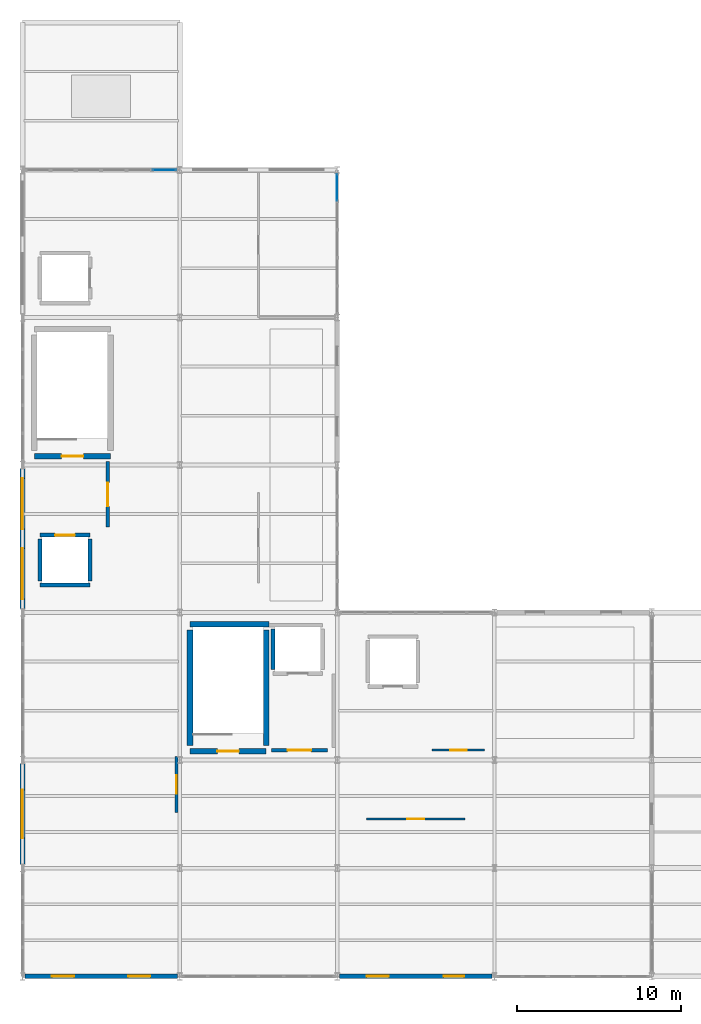
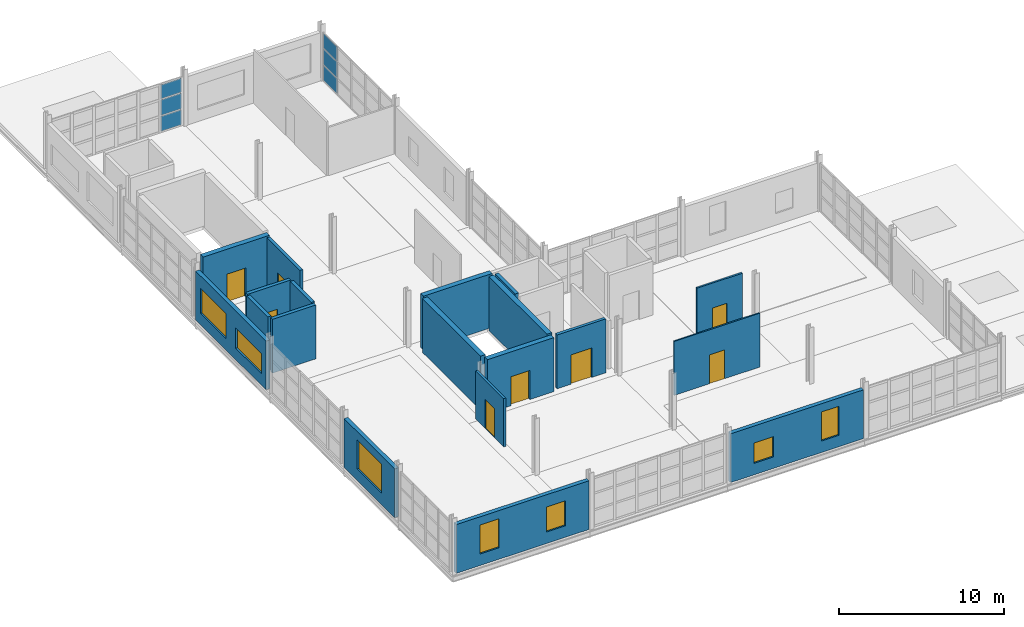
# One storey, part 13 of 15: 19 walls, 8 doors, 7 windows, 6 plates, 15 openings, 2 elements without a shape of their own.
"""IFC4 building model written with IfcOpenShell, lengths in metres."""

from ifc_helpers import new_model, si_unit, direction, frame, frame_2d, origin, origin_2d, place, context, subcontext, project, spatial, rectangle, extrude, material, layer, layer_set, type_object, element, fill, aggregate, save


model = new_model("IFC4")

# Units and contexts
model_context = context("Model", 3, precision=1e-05, world=origin(), true_north=direction((0.0, 1.0)))
body_context = subcontext(model_context, "Body", "Model", "MODEL_VIEW")
ifc_project = project(units=[si_unit("LENGTHUNIT", "METRE"), si_unit("AREAUNIT", "SQUARE_METRE"), si_unit("VOLUMEUNIT", "CUBIC_METRE"), si_unit("PLANEANGLEUNIT", "RADIAN"), si_unit("MASSUNIT", "GRAM", prefix="KILO")], contexts=[model_context])

# Site, building, storey
site_placement = place(None, origin())
site = spatial("IfcSite", under=ifc_project, at=site_placement, CompositionType="ELEMENT")
building_placement = place(site_placement, origin())
building = spatial("IfcBuilding", under=site, at=building_placement, Name="Zarnetskaya Central Station", CompositionType="ELEMENT")
storey_placement = place(building_placement, frame((0.0, 0.0, 22.800048828125)))
storey = spatial("IfcBuildingStorey", under=building, at=storey_placement, Name="L05", CompositionType="ELEMENT", Elevation=22.800048828125)

# Curtain wall, plates
ifc_material_1 = material(Name="Low-E insulated glass", Category="glass")
ifc_layer_1 = layer(ifc_material_1, 0.1640625, Name="Low-E insulated glass", Category="glass")
ifc_layer_set_1 = layer_set([ifc_layer_1], Name="Low-E insulated glass")
curtain_wall_type = type_object("IfcCurtainWallType", Name="CW-SYS-07", PredefinedType="USERDEFINED", material=ifc_layer_set_1)
curtain_wall_1_placement = place(storey_placement, origin())
curtain_wall_1 = element("IfcCurtainWall", 1, at=curtain_wall_1_placement, inside=storey, type_object=curtain_wall_type, Name="Curtain wall CW-L05-066", ObjectType="CURTAIN WALL", PredefinedType="USERDEFINED")
ifc_layer_2 = layer(ifc_material_1, 0.031982421875, Name="Low-E insulated glass", Category="glass")
ifc_layer_set_2 = layer_set([ifc_layer_2], Name="Low-E insulated glass")
plate_type_1 = type_object("IfcPlateType", Name="CW-PAN-32", PredefinedType="CURTAIN_PANEL", material=ifc_layer_set_2)
plate_1_placement = place(storey_placement, frame((8.655029296875, 49.199951171875, 0.079833984375), z_axis=(0.0, 0.0, 1.0), x_axis=(1.0, 0.0, 0.0)))
plate_1 = element("IfcPlate", 2, at=plate_1_placement, type_object=plate_type_1, Name="CW-06 panel 6.1", PredefinedType="CURTAIN_PANEL", context=body_context, shape_type="SweptSolid", body=[
    extrude(rectangle(XDim=1.429931640625, YDim=0.031982421875, at=origin_2d()), origin(), (0.0, 0.0, 1.0), 1.10400390625),
])
plate_2_placement = place(storey_placement, frame((8.655029296875, 49.199951171875, 1.263916015625), z_axis=(0.0, 0.0, 1.0), x_axis=(1.0, 0.0, 0.0)))
plate_2 = element("IfcPlate", 3, at=plate_2_placement, type_object=plate_type_1, Name="CW-06 panel 6.2", PredefinedType="CURTAIN_PANEL", context=body_context, shape_type="SweptSolid", body=[
    extrude(rectangle(XDim=1.429931640625, YDim=0.031982421875, at=origin_2d()), origin(), (0.0, 0.0, 1.0), 1.14404296875),
])
plate_3_placement = place(storey_placement, frame((8.655029296875, 49.199951171875, 2.48779296875), z_axis=(0.0, 0.0, 1.0), x_axis=(1.0, 0.0, 0.0)))
plate_3 = element("IfcPlate", 4, at=plate_3_placement, type_object=plate_type_1, Name="CW-06 panel 6.3", PredefinedType="CURTAIN_PANEL", context=body_context, shape_type="SweptSolid", body=[
    extrude(rectangle(XDim=1.429931640625, YDim=0.031982421875, at=origin_2d()), origin(), (0.0, 0.0, 1.0), 1.031982421875),
])
aggregate(curtain_wall_1, [plate_1, plate_2, plate_3])

curtain_wall_2_placement = place(storey_placement, origin())
curtain_wall_2 = element("IfcCurtainWall", 5, at=curtain_wall_2_placement, inside=storey, type_object=curtain_wall_type, Name="Curtain wall CW-L05-067", ObjectType="CURTAIN WALL", PredefinedType="USERDEFINED")
ifc_layer_3 = layer(ifc_material_1, 0.035888671875, Name="Low-E insulated glass", Category="glass")
ifc_layer_set_3 = layer_set([ifc_layer_3], Name="Low-E insulated glass")
plate_type_2 = type_object("IfcPlateType", Name="CW-PAN-36", PredefinedType="CURTAIN_PANEL", material=ifc_layer_set_3)
plate_4_placement = place(storey_placement, frame((19.199951171875, 48.12255859375, 0.06982421875), z_axis=(0.0, 0.0, 1.0), x_axis=(0.0, -1.0, 0.0)))
plate_4 = element("IfcPlate", 6, at=plate_4_placement, type_object=plate_type_2, Name="CW-06 panel 1.1", PredefinedType="CURTAIN_PANEL", context=body_context, shape_type="SweptSolid", body=[
    extrude(rectangle(XDim=1.614990234375, YDim=0.035888671875, at=origin_2d()), origin(), (0.0, 0.0, 1.0), 1.118896484375),
])
plate_5_placement = place(storey_placement, frame((19.199951171875, 48.12255859375, 1.2587890625), z_axis=(0.0, 0.0, 1.0), x_axis=(0.0, -1.0, 0.0)))
plate_5 = element("IfcPlate", 7, at=plate_5_placement, type_object=plate_type_2, Name="CW-06 panel 1.2", PredefinedType="CURTAIN_PANEL", context=body_context, shape_type="SweptSolid", body=[
    extrude(rectangle(XDim=1.614990234375, YDim=0.035888671875, at=origin_2d()), origin(), (0.0, 0.0, 1.0), 1.154052734375),
])
plate_6_placement = place(storey_placement, frame((19.199951171875, 48.12255859375, 2.48291015625), z_axis=(0.0, 0.0, 1.0), x_axis=(0.0, -1.0, 0.0)))
plate_6 = element("IfcPlate", 8, at=plate_6_placement, type_object=plate_type_2, Name="CW-06 panel 1.3", PredefinedType="CURTAIN_PANEL", context=body_context, shape_type="SweptSolid", body=[
    extrude(rectangle(XDim=1.614990234375, YDim=0.035888671875, at=origin_2d()), origin(), (0.0, 0.0, 1.0), 1.047119140625),
])
aggregate(curtain_wall_2, [plate_4, plate_5, plate_6])

# Wall, opening, door
ifc_material_2 = material(Name="Gypsum acoustic partition")
ifc_layer_4 = layer(ifc_material_2, 0.159912109375, Name="Gypsum acoustic partition")
ifc_layer_set_4 = layer_set([ifc_layer_4], Name="Gypsum acoustic partition")
wall_type_1 = type_object("IfcWallType", Name="PART-ACOU-160", PredefinedType="PARTITIONING", material=ifc_layer_set_4)
wall_1_placement = place(storey_placement, frame((9.39990234375, 13.39990234375, 0.0), z_axis=(0.0, 0.0, 1.0), x_axis=(0.0, -1.0, 0.0)))
wall_1 = element("IfcWall", 9, at=wall_1_placement, inside=storey, type_object=wall_type_1, Name="Interior partition IPRT-L05-0443", PredefinedType="PARTITIONING", context=body_context, shape_type="SweptSolid", body=[
    extrude(rectangle(XDim=3.39990234375, YDim=0.159912109375, at=frame_2d((1.699951171875, 0.0))), origin(), (0.0, 0.0, 1.0), 3.570068359375),
])
opening_1_placement = place(wall_1_placement, frame((1.1298828125, 0.0, 0.0)))
opening_1 = element("IfcOpeningElement", 10, at=opening_1_placement, cuts=wall_1, Name="Opening DR-20", PredefinedType="OPENING", context=body_context, shape_type="SweptSolid", body=[
    extrude(rectangle(XDim=1.139892578125, YDim=2.159912109375, at=frame_2d((0.56982421875, 1.080078125))), frame((0.0, 0.08984375, 0.0), z_axis=(0.0, -1.0, 0.0), x_axis=(1.0, 0.0, 0.0)), (0.0, 0.0, 1.0), 0.179931640625),
])
ifc_material_3 = material(Name="Anodised aluminium", Category="aluminium")
door_type_1 = type_object("IfcDoorType", Name="DR-INT-23", OperationType="NOTDEFINED", PredefinedType="DOOR", material=ifc_material_3)
door_1_placement = place(opening_1_placement, origin())
door_1 = element("IfcDoor", 11, at=door_1_placement, inside=storey, type_object=door_type_1, Name="Emergency Command Briefing Room door", OperationType="SINGLE_SWING_LEFT", OverallHeight=2.159912109375, OverallWidth=1.139892578125, PredefinedType="DOOR", context=body_context, shape_type="SweptSolid", body=[
    extrude(rectangle(XDim=1.139892578125, YDim=2.159912109375, at=frame_2d((0.56982421875, 1.080078125))), frame((0.0, 0.02490234375, 0.0), z_axis=(0.0, -1.0, 0.0), x_axis=(1.0, 0.0, 0.0)), (0.0, 0.0, 1.0), 0.050048828125),
])
fill(opening_1, door_1)

ifc_material_4 = material(Name="Concrete C30/37", Category="concrete")
ifc_layer_5 = layer(ifc_material_4, 0.205078125, Name="Concrete C30/37", Category="concrete")
ifc_layer_set_5 = layer_set([ifc_layer_5], Name="Concrete C30/37")
wall_type_2 = type_object("IfcWallType", Name="PART-FFL-205", PredefinedType="PARTITIONING", material=ifc_layer_set_5)
wall_2_placement = place(storey_placement, frame((18.60009765625, 13.800048828125, 0.0), z_axis=(0.0, 0.0, 1.0), x_axis=(-1.0, 0.0, 0.0)))
wall_2 = element("IfcWall", 12, at=wall_2_placement, inside=storey, type_object=wall_type_2, Name="Interior partition IPRT-L05-0371", PredefinedType="PARTITIONING", context=body_context, shape_type="SweptSolid", body=[
    extrude(rectangle(XDim=3.400146484375, YDim=0.205078125, at=frame_2d((1.7001953125, 0.0))), origin(), (0.0, 0.0, 1.0), 3.989990234375),
])
opening_2_placement = place(wall_2_placement, frame((0.97998046875, 0.0, 0.0)))
opening_2 = element("IfcOpeningElement", 13, at=opening_2_placement, cuts=wall_2, Name="Opening DR-FFL", PredefinedType="OPENING", context=body_context, shape_type="SweptSolid", body=[
    extrude(rectangle(XDim=1.43994140625, YDim=2.179931640625, at=frame_2d((0.719970703125, 1.08984375))), frame((0.0, 0.112548828125, 0.0), z_axis=(0.0, -1.0, 0.0), x_axis=(1.0, 0.0, 0.0)), (0.0, 0.0, 1.0), 0.22509765625),
])
door_type_2 = type_object("IfcDoorType", Name="DR-FIRE-LOBBY", OperationType="NOTDEFINED", PredefinedType="DOOR", material=ifc_material_3)
door_2_placement = place(opening_2_placement, origin())
door_2 = element("IfcDoor", 14, at=door_2_placement, inside=storey, type_object=door_type_2, Name="Firefighting Lift Lobby C1 door", OperationType="SINGLE_SWING_RIGHT", OverallHeight=2.179931640625, OverallWidth=1.43994140625, PredefinedType="DOOR", context=body_context, shape_type="SweptSolid", body=[
    extrude(rectangle(XDim=1.43994140625, YDim=2.179931640625, at=frame_2d((0.719970703125, 1.08984375))), frame((0.0, 0.02490234375, 0.0), z_axis=(0.0, -1.0, 0.0), x_axis=(1.0, 0.0, 0.0)), (0.0, 0.0, 1.0), 0.050048828125),
])
fill(opening_2, door_2)

wall_3_placement = place(storey_placement, frame((5.199951171875, 31.39990234375, 0.0), z_axis=(0.0, 0.0, 1.0), x_axis=(0.0, -1.0, 0.0)))
wall_3 = element("IfcWall", 15, at=wall_3_placement, inside=storey, type_object=wall_type_2, Name="Interior partition IPRT-L05-0373", PredefinedType="PARTITIONING", context=body_context, shape_type="SweptSolid", body=[
    extrude(rectangle(XDim=4.0, YDim=0.205078125, at=frame_2d((2.0, 0.0))), origin(), (0.0, 0.0, 1.0), 3.989990234375),
])
opening_3_placement = place(wall_3_placement, frame((1.280029296875, 0.0, 0.0)))
opening_3 = element("IfcOpeningElement", 16, at=opening_3_placement, cuts=wall_3, Name="Opening DR-FFL", PredefinedType="OPENING", context=body_context, shape_type="SweptSolid", body=[
    extrude(rectangle(XDim=1.43994140625, YDim=2.179931640625, at=frame_2d((0.719970703125, 1.08984375))), frame((0.0, 0.112548828125, 0.0), z_axis=(0.0, -1.0, 0.0), x_axis=(1.0, 0.0, 0.0)), (0.0, 0.0, 1.0), 0.22509765625),
])
door_3_placement = place(opening_3_placement, origin())
door_3 = element("IfcDoor", 17, at=door_3_placement, inside=storey, type_object=door_type_2, Name="Firefighting Lift Lobby C2 door", OperationType="SINGLE_SWING_LEFT", OverallHeight=2.179931640625, OverallWidth=1.43994140625, PredefinedType="DOOR", context=body_context, shape_type="SweptSolid", body=[
    extrude(rectangle(XDim=1.43994140625, YDim=2.179931640625, at=frame_2d((0.719970703125, 1.08984375))), frame((0.0, 0.02490234375, 0.0), z_axis=(0.0, -1.0, 0.0), x_axis=(1.0, 0.0, 0.0)), (0.0, 0.0, 1.0), 0.050048828125),
])
fill(opening_3, door_3)

ifc_material_5 = material(Name="Gypsum stud partition")
ifc_layer_6 = layer(ifc_material_5, 0.10009765625, Name="Gypsum stud partition")
ifc_layer_set_6 = layer_set([ifc_layer_6], Name="Gypsum stud partition")
wall_type_3 = type_object("IfcWallType", Name="PART-LGT-100", PredefinedType="PARTITIONING", material=ifc_layer_set_6)
wall_4_placement = place(storey_placement, frame((21.0, 9.60009765625, 0.0), z_axis=(0.0, 0.0, 1.0), x_axis=(1.0, 0.0, 0.0)))
wall_4 = element("IfcWall", 18, at=wall_4_placement, inside=storey, type_object=wall_type_3, Name="Interior partition IPRT-L05-0442", PredefinedType="PARTITIONING", context=body_context, shape_type="SweptSolid", body=[
    extrude(rectangle(XDim=6.0, YDim=0.10009765625, at=frame_2d((3.0, 0.0))), origin(), (0.0, 0.0, 1.0), 3.989990234375),
])
opening_4_placement = place(wall_4_placement, frame((2.469970703125, 0.0, 0.0)))
opening_4 = element("IfcOpeningElement", 19, at=opening_4_placement, cuts=wall_4, Name="Opening DR-03", PredefinedType="OPENING", context=body_context, shape_type="SweptSolid", body=[
    extrude(rectangle(XDim=1.06005859375, YDim=2.139892578125, at=frame_2d((0.530029296875, 1.06982421875))), frame((0.0, 0.06005859375, 0.0), z_axis=(0.0, -1.0, 0.0), x_axis=(1.0, 0.0, 0.0)), (0.0, 0.0, 1.0), 0.1201171875),
])
door_type_3 = type_object("IfcDoorType", Name="DR-INT-22", OperationType="NOTDEFINED", PredefinedType="DOOR", material=ifc_material_3)
door_4_placement = place(opening_4_placement, origin())
door_4 = element("IfcDoor", 20, at=door_4_placement, inside=storey, type_object=door_type_3, Name="Radio and Signalling Telecom Suite door", OperationType="SINGLE_SWING_RIGHT", OverallHeight=2.139892578125, OverallWidth=1.06005859375, PredefinedType="DOOR", context=body_context, shape_type="SweptSolid", body=[
    extrude(rectangle(XDim=1.06005859375, YDim=2.139892578125, at=frame_2d((0.530029296875, 1.06982421875))), frame((0.0, 0.02490234375, 0.0), z_axis=(0.0, -1.0, 0.0), x_axis=(1.0, 0.0, 0.0)), (0.0, 0.0, 1.0), 0.050048828125),
])
fill(opening_4, door_4)

ifc_layer_7 = layer(ifc_material_2, 0.1298828125, Name="Gypsum acoustic partition")
ifc_layer_set_7 = layer_set([ifc_layer_7], Name="Gypsum acoustic partition")
wall_type_4 = type_object("IfcWallType", Name="PART-OFF-130", PredefinedType="PARTITIONING", material=ifc_layer_set_7)
wall_5_placement = place(storey_placement, frame((28.199951171875, 13.800048828125, 0.0), z_axis=(0.0, 0.0, 1.0), x_axis=(-1.0, 0.0, 0.0)))
wall_5 = element("IfcWall", 21, at=wall_5_placement, inside=storey, type_object=wall_type_4, Name="Interior partition IPRT-L05-0441", PredefinedType="PARTITIONING", context=body_context, shape_type="SweptSolid", body=[
    extrude(rectangle(XDim=3.199951171875, YDim=0.1298828125, at=frame_2d((1.60009765625, 0.0))), origin(), (0.0, 0.0, 1.0), 3.989990234375),
])
opening_5_placement = place(wall_5_placement, frame((1.090087890625, 0.0, 0.0)))
opening_5 = element("IfcOpeningElement", 22, at=opening_5_placement, cuts=wall_5, Name="Opening DR-18", PredefinedType="OPENING", context=body_context, shape_type="SweptSolid", body=[
    extrude(rectangle(XDim=1.02001953125, YDim=2.139892578125, at=frame_2d((0.510009765625, 1.06982421875))), frame((0.0, 0.074951171875, 0.0), z_axis=(0.0, -1.0, 0.0), x_axis=(1.0, 0.0, 0.0)), (0.0, 0.0, 1.0), 0.14990234375),
])
door_type_4 = type_object("IfcDoorType", Name="DR-INT-21", OperationType="NOTDEFINED", PredefinedType="DOOR", material=ifc_material_3)
door_5_placement = place(opening_5_placement, origin())
door_5 = element("IfcDoor", 23, at=door_5_placement, inside=storey, type_object=door_type_4, Name="Network Telemetry Control Centre door", OperationType="SINGLE_SWING_LEFT", OverallHeight=2.139892578125, OverallWidth=1.02001953125, PredefinedType="DOOR", context=body_context, shape_type="SweptSolid", body=[
    extrude(rectangle(XDim=1.02001953125, YDim=2.139892578125, at=frame_2d((0.510009765625, 1.06982421875))), frame((0.0, 0.02490234375, 0.0), z_axis=(0.0, -1.0, 0.0), x_axis=(1.0, 0.0, 0.0)), (0.0, 0.0, 1.0), 0.050048828125),
])
fill(opening_5, door_5)

ifc_material_6 = material(Name="Concrete C35/45", Category="concrete")
ifc_layer_8 = layer(ifc_material_6, 0.35009765625, Name="Concrete C35/45", Category="concrete")
ifc_layer_set_8 = layer_set([ifc_layer_8], Name="Concrete C35/45")
wall_type_5 = type_object("IfcWallType", Name="WALL-CORE-350", PredefinedType="SHEAR", material=ifc_layer_set_8)
wall_6_placement = place(storey_placement, frame((14.875, 13.72509765625, 0.0), z_axis=(0.0, 0.0, 1.0), x_axis=(-1.0, 0.0, 0.0)))
wall_6 = element("IfcWall", 24, at=wall_6_placement, inside=storey, type_object=wall_type_5, Name="Core shear wall WSTR-L05-0213", PredefinedType="SHEAR", context=body_context, shape_type="SweptSolid", body=[
    extrude(rectangle(XDim=4.64990234375, YDim=0.35009765625, at=frame_2d((2.324951171875, 0.0))), origin(), (0.0, 0.0, 1.0), 3.989990234375),
])
opening_6_placement = place(wall_6_placement, frame((1.6650390625, 0.0, 0.0)))
opening_6 = element("IfcOpeningElement", 25, at=opening_6_placement, cuts=wall_6, Name="Opening DR-FD60", PredefinedType="OPENING", context=body_context, shape_type="SweptSolid", body=[
    extrude(rectangle(XDim=1.320068359375, YDim=2.14990234375, at=frame_2d((0.66015625, 1.074951171875))), frame((0.0, 0.18505859375, 0.0), z_axis=(0.0, -1.0, 0.0), x_axis=(1.0, 0.0, 0.0)), (0.0, 0.0, 1.0), 0.3701171875),
])
door_type_5 = type_object("IfcDoorType", Name="DR-FIRE-STAIR", OperationType="NOTDEFINED", PredefinedType="DOOR", material=ifc_material_3)
door_6_placement = place(opening_6_placement, origin())
door_6 = element("IfcDoor", 26, at=door_6_placement, inside=storey, type_object=door_type_5, Name="Protected exit stair door ST-C1 L05", OperationType="SINGLE_SWING_LEFT", OverallHeight=2.14990234375, OverallWidth=1.320068359375, PredefinedType="DOOR", context=body_context, shape_type="SweptSolid", body=[
    extrude(rectangle(XDim=1.320068359375, YDim=2.14990234375, at=frame_2d((0.66015625, 1.074951171875))), frame((0.0, 0.02490234375, 0.0), z_axis=(0.0, -1.0, 0.0), x_axis=(1.0, 0.0, 0.0)), (0.0, 0.0, 1.0), 0.050048828125),
])
fill(opening_6, door_6)

# Walls
wall_7_placement = place(storey_placement, frame((10.22509765625, 21.47509765625, 0.0), z_axis=(0.0, 0.0, 1.0), x_axis=(1.0, 0.0, 0.0)))
element("IfcWall", 27, at=wall_7_placement, inside=storey, type_object=wall_type_5, Name="Core shear wall WSTR-L05-0214", PredefinedType="SHEAR", context=body_context, shape_type="SweptSolid", body=[
    extrude(rectangle(XDim=4.824951171875, YDim=0.35009765625, at=frame_2d((2.41259765625, 0.0))), origin(), (0.0, 0.0, 1.0), 3.989990234375),
])
for number, where, z_axis, x_axis, name in (
    (28, (10.22509765625, 14.074951171875, 0.0), (0.0, 0.0, 1.0), (0.0, 1.0, 0.0), "Core shear wall WSTR-L05-0215"),
    (29, (14.875, 21.125, 0.0), (0.0, 0.0, 1.0), (0.0, -1.0, 0.0), "Core shear wall WSTR-L05-0216"),
):
    element("IfcWall", number, at=place(storey_placement, frame(where, z_axis=z_axis, x_axis=x_axis)), inside=storey, type_object=wall_type_5, Name=name, PredefinedType="SHEAR", context=body_context, shape_type="SweptSolid", body=[
        extrude(rectangle(XDim=7.050048828125, YDim=0.35009765625, at=frame_2d((3.52490234375, 0.0))), origin(), (0.0, 0.0, 1.0), 3.989990234375),
    ])

# Wall, opening, door
wall_8_placement = place(storey_placement, frame((5.375, 31.72509765625, 0.0), z_axis=(0.0, 0.0, 1.0), x_axis=(-1.0, 0.0, 0.0)))
wall_8 = element("IfcWall", 30, at=wall_8_placement, inside=storey, type_object=wall_type_5, Name="Core shear wall WSTR-L05-0241", PredefinedType="SHEAR", context=body_context, shape_type="SweptSolid", body=[
    extrude(rectangle(XDim=4.64990234375, YDim=0.35009765625, at=frame_2d((2.324951171875, 0.0))), origin(), (0.0, 0.0, 1.0), 3.989990234375),
])
opening_7_placement = place(wall_8_placement, frame((1.6650390625, 0.0, 0.0)))
opening_7 = element("IfcOpeningElement", 31, at=opening_7_placement, cuts=wall_8, Name="Opening DR-FD60", PredefinedType="OPENING", context=body_context, shape_type="SweptSolid", body=[
    extrude(rectangle(XDim=1.320068359375, YDim=2.14990234375, at=frame_2d((0.66015625, 1.074951171875))), frame((0.0, 0.18505859375, 0.0), z_axis=(0.0, -1.0, 0.0), x_axis=(1.0, 0.0, 0.0)), (0.0, 0.0, 1.0), 0.3701171875),
])
door_7_placement = place(opening_7_placement, origin())
door_7 = element("IfcDoor", 32, at=door_7_placement, inside=storey, type_object=door_type_5, Name="Protected exit stair door ST-C2 L05", OperationType="SINGLE_SWING_RIGHT", OverallHeight=2.14990234375, OverallWidth=1.320068359375, PredefinedType="DOOR", context=body_context, shape_type="SweptSolid", body=[
    extrude(rectangle(XDim=1.320068359375, YDim=2.14990234375, at=frame_2d((0.66015625, 1.074951171875))), frame((0.0, 0.02490234375, 0.0), z_axis=(0.0, -1.0, 0.0), x_axis=(1.0, 0.0, 0.0)), (0.0, 0.0, 1.0), 0.050048828125),
])
fill(opening_7, door_7)

# Wall, opening, window
ifc_material_7 = material(Name="Precast concrete C40/50", Category="concrete")
ifc_layer_9 = layer(ifc_material_7, 0.280029296875, Name="Precast concrete C40/50", Category="concrete")
ifc_layer_set_9 = layer_set([ifc_layer_9], Name="Precast concrete C40/50")
wall_type_6 = type_object("IfcWallType", Name="WALL-EXT-280", PredefinedType="SOLIDWALL", material=ifc_layer_set_9)
wall_9_placement = place(storey_placement, frame((0.0, 6.824951171875, 0.0), z_axis=(0.0, 0.0, 1.0), x_axis=(0.0, 1.0, 0.0)))
wall_9 = element("IfcWall", 33, at=wall_9_placement, inside=storey, type_object=wall_type_6, Name="Exterior precast wall EW-L05-0-68-0-130", PredefinedType="SOLIDWALL", context=body_context, shape_type="SweptSolid", body=[
    extrude(rectangle(XDim=6.150146484375, YDim=0.280029296875, at=frame_2d((3.0751953125, 0.0))), origin(), (0.0, 0.0, 1.0), 3.60986328125),
])
opening_8_placement = place(wall_9_placement, frame((1.60009765625, 0.0, 0.85009765625)))
opening_8 = element("IfcOpeningElement", 34, at=opening_8_placement, cuts=wall_9, Name="Opening WN-51", PredefinedType="OPENING", context=body_context, shape_type="SweptSolid", body=[
    extrude(rectangle(XDim=2.949951171875, YDim=2.14990234375, at=frame_2d((1.47509765625, 1.074951171875))), frame((0.0, 0.14990234375, 0.0), z_axis=(0.0, -1.0, 0.0), x_axis=(1.0, 0.0, 0.0)), (0.0, 0.0, 1.0), 0.300048828125),
])
window_type_1 = type_object("IfcWindowType", Name="WIN-48", PartitioningType="DOUBLE_PANEL_VERTICAL", PredefinedType="WINDOW", material=ifc_material_1)
window_1_placement = place(opening_8_placement, origin())
window_1 = element("IfcWindow", 35, at=window_1_placement, inside=storey, type_object=window_type_1, Name="Facade window L05-0102", OverallHeight=2.14990234375, OverallWidth=2.949951171875, PartitioningType="SINGLE_PANEL", PredefinedType="WINDOW", context=body_context, shape_type="SweptSolid", body=[
    extrude(rectangle(XDim=2.949951171875, YDim=2.14990234375, at=frame_2d((1.47509765625, 1.074951171875))), frame((0.0, 0.030029296875, 0.0), z_axis=(0.0, -1.0, 0.0), x_axis=(1.0, 0.0, 0.0)), (0.0, 0.0, 1.0), 0.06005859375),
])
fill(opening_8, window_1)

# Wall, openings, windows
wall_10_placement = place(storey_placement, frame((0.0, 22.425048828125, 0.0), z_axis=(0.0, 0.0, 1.0), x_axis=(0.0, 1.0, 0.0)))
wall_10 = element("IfcWall", 36, at=wall_10_placement, inside=storey, type_object=wall_type_6, Name="Exterior precast wall EW-L05-0-224-0-310", PredefinedType="SOLIDWALL", context=body_context, shape_type="SweptSolid", body=[
    extrude(rectangle(XDim=8.550048828125, YDim=0.280029296875, at=frame_2d((4.27490234375, 0.0))), origin(), (0.0, 0.0, 1.0), 3.60986328125),
])
opening_9_placement = place(wall_10_placement, frame((0.58740234375, 0.0, 0.85009765625)))
opening_9 = element("IfcOpeningElement", 37, at=opening_9_placement, cuts=wall_10, Name="Opening WN-36", PredefinedType="OPENING", context=body_context, shape_type="SweptSolid", body=[
    extrude(rectangle(XDim=3.10009765625, YDim=1.5, at=frame_2d((1.550048828125, 0.75))), frame((0.0, 0.14990234375, 0.0), z_axis=(0.0, -1.0, 0.0), x_axis=(1.0, 0.0, 0.0)), (0.0, 0.0, 1.0), 0.300048828125),
])
opening_10_placement = place(wall_10_placement, frame((4.862548828125, 0.0, 0.85009765625)))
opening_10 = element("IfcOpeningElement", 38, at=opening_10_placement, cuts=wall_10, Name="Opening WN-19", PredefinedType="OPENING", context=body_context, shape_type="SweptSolid", body=[
    extrude(rectangle(XDim=3.10009765625, YDim=1.85009765625, at=frame_2d((1.550048828125, 0.925048828125))), frame((0.0, 0.14990234375, 0.0), z_axis=(0.0, -1.0, 0.0), x_axis=(1.0, 0.0, 0.0)), (0.0, 0.0, 1.0), 0.300048828125),
])
window_type_2 = type_object("IfcWindowType", Name="WIN-49", PartitioningType="DOUBLE_PANEL_VERTICAL", PredefinedType="WINDOW", material=ifc_material_1)
window_2_placement = place(opening_9_placement, origin())
window_2 = element("IfcWindow", 39, at=window_2_placement, inside=storey, type_object=window_type_2, Name="Facade window L05-0103", OverallHeight=1.5, OverallWidth=3.10009765625, PartitioningType="SINGLE_PANEL", PredefinedType="WINDOW", context=body_context, shape_type="SweptSolid", body=[
    extrude(rectangle(XDim=3.10009765625, YDim=1.5, at=frame_2d((1.550048828125, 0.75))), frame((0.0, 0.030029296875, 0.0), z_axis=(0.0, -1.0, 0.0), x_axis=(1.0, 0.0, 0.0)), (0.0, 0.0, 1.0), 0.06005859375),
])
fill(opening_9, window_2)
window_type_3 = type_object("IfcWindowType", Name="WIN-50", PartitioningType="DOUBLE_PANEL_VERTICAL", PredefinedType="WINDOW", material=ifc_material_1)
window_3_placement = place(opening_10_placement, origin())
window_3 = element("IfcWindow", 40, at=window_3_placement, inside=storey, type_object=window_type_3, Name="Facade window L05-0104", OverallHeight=1.85009765625, OverallWidth=3.10009765625, PartitioningType="SINGLE_PANEL", PredefinedType="WINDOW", context=body_context, shape_type="SweptSolid", body=[
    extrude(rectangle(XDim=3.10009765625, YDim=1.85009765625, at=frame_2d((1.550048828125, 0.925048828125))), frame((0.0, 0.030029296875, 0.0), z_axis=(0.0, -1.0, 0.0), x_axis=(1.0, 0.0, 0.0)), (0.0, 0.0, 1.0), 0.06005859375),
])
fill(opening_10, window_3)

wall_11_placement = place(storey_placement, frame((28.64990234375, 0.0, 0.0), z_axis=(0.0, 0.0, 1.0), x_axis=(-1.0, 0.0, 0.0)))
wall_11 = element("IfcWall", 41, at=wall_11_placement, inside=storey, type_object=wall_type_6, Name="Exterior precast wall EW-L05-286-0-194-0", PredefinedType="SOLIDWALL", context=body_context, shape_type="SweptSolid", body=[
    extrude(rectangle(XDim=9.2998046875, YDim=0.280029296875, at=frame_2d((4.64990234375, 0.0))), origin(), (0.0, 0.0, 1.0), 3.60986328125),
])
opening_11_placement = place(wall_11_placement, frame((1.699951171875, 0.0, 0.85009765625)))
opening_11 = element("IfcOpeningElement", 42, at=opening_11_placement, cuts=wall_11, Name="Opening WN-40", PredefinedType="OPENING", context=body_context, shape_type="SweptSolid", body=[
    extrude(rectangle(XDim=1.25, YDim=2.14990234375, at=frame_2d((0.625, 1.074951171875))), frame((0.0, 0.14990234375, 0.0), z_axis=(0.0, -1.0, 0.0), x_axis=(1.0, 0.0, 0.0)), (0.0, 0.0, 1.0), 0.300048828125),
])
opening_12_placement = place(wall_11_placement, frame((6.300048828125, 0.0, 0.85009765625)))
opening_12 = element("IfcOpeningElement", 43, at=opening_12_placement, cuts=wall_11, Name="Opening WN-03", PredefinedType="OPENING", context=body_context, shape_type="SweptSolid", body=[
    extrude(rectangle(XDim=1.35009765625, YDim=1.5, at=frame_2d((0.675048828125, 0.75))), frame((0.0, 0.14990234375, 0.0), z_axis=(0.0, -1.0, 0.0), x_axis=(1.0, 0.0, 0.0)), (0.0, 0.0, 1.0), 0.300048828125),
])
window_type_4 = type_object("IfcWindowType", Name="WIN-06", PartitioningType="SINGLE_PANEL", PredefinedType="WINDOW", material=ifc_material_1)
window_4_placement = place(opening_11_placement, origin())
window_4 = element("IfcWindow", 44, at=window_4_placement, inside=storey, type_object=window_type_4, Name="Facade window L05-0114", OverallHeight=2.14990234375, OverallWidth=1.25, PartitioningType="SINGLE_PANEL", PredefinedType="WINDOW", context=body_context, shape_type="SweptSolid", body=[
    extrude(rectangle(XDim=1.25, YDim=2.14990234375, at=frame_2d((0.625, 1.074951171875))), frame((0.0, 0.030029296875, 0.0), z_axis=(0.0, -1.0, 0.0), x_axis=(1.0, 0.0, 0.0)), (0.0, 0.0, 1.0), 0.06005859375),
])
fill(opening_11, window_4)
window_type_5 = type_object("IfcWindowType", Name="WIN-07", PartitioningType="SINGLE_PANEL", PredefinedType="WINDOW", material=ifc_material_1)
window_5_placement = place(opening_12_placement, origin())
window_5 = element("IfcWindow", 45, at=window_5_placement, inside=storey, type_object=window_type_5, Name="Facade window L05-0115", OverallHeight=1.5, OverallWidth=1.35009765625, PartitioningType="SINGLE_PANEL", PredefinedType="WINDOW", context=body_context, shape_type="SweptSolid", body=[
    extrude(rectangle(XDim=1.35009765625, YDim=1.5, at=frame_2d((0.675048828125, 0.75))), frame((0.0, 0.030029296875, 0.0), z_axis=(0.0, -1.0, 0.0), x_axis=(1.0, 0.0, 0.0)), (0.0, 0.0, 1.0), 0.06005859375),
])
fill(opening_12, window_5)

wall_12_placement = place(storey_placement, frame((9.449951171875, 0.0, 0.0), z_axis=(0.0, 0.0, 1.0), x_axis=(-1.0, 0.0, 0.0)))
wall_12 = element("IfcWall", 46, at=wall_12_placement, inside=storey, type_object=wall_type_6, Name="Exterior precast wall EW-L05-94-0-2-0", PredefinedType="SOLIDWALL", context=body_context, shape_type="SweptSolid", body=[
    extrude(rectangle(XDim=9.300048828125, YDim=0.280029296875, at=frame_2d((4.64990234375, 0.0))), origin(), (0.0, 0.0, 1.0), 3.60986328125),
])
opening_13_placement = place(wall_12_placement, frame((1.64990234375, 0.0, 0.85009765625)))
opening_13 = element("IfcOpeningElement", 47, at=opening_13_placement, cuts=wall_12, Name="Opening WN-04", PredefinedType="OPENING", context=body_context, shape_type="SweptSolid", body=[
    extrude(rectangle(XDim=1.35009765625, YDim=1.85009765625, at=frame_2d((0.675048828125, 0.925048828125))), frame((0.0, 0.14990234375, 0.0), z_axis=(0.0, -1.0, 0.0), x_axis=(1.0, 0.0, 0.0)), (0.0, 0.0, 1.0), 0.300048828125),
])
opening_14_placement = place(wall_12_placement, frame((6.300048828125, 0.0, 0.85009765625)))
opening_14 = element("IfcOpeningElement", 48, at=opening_14_placement, cuts=wall_12, Name="Opening WN-30", PredefinedType="OPENING", context=body_context, shape_type="SweptSolid", body=[
    extrude(rectangle(XDim=1.35009765625, YDim=2.14990234375, at=frame_2d((0.675048828125, 1.074951171875))), frame((0.0, 0.14990234375, 0.0), z_axis=(0.0, -1.0, 0.0), x_axis=(1.0, 0.0, 0.0)), (0.0, 0.0, 1.0), 0.300048828125),
])
window_type_6 = type_object("IfcWindowType", Name="WIN-08", PartitioningType="SINGLE_PANEL", PredefinedType="WINDOW", material=ifc_material_1)
window_6_placement = place(opening_13_placement, origin())
window_6 = element("IfcWindow", 49, at=window_6_placement, inside=storey, type_object=window_type_6, Name="Facade window L05-0116", OverallHeight=1.85009765625, OverallWidth=1.35009765625, PartitioningType="SINGLE_PANEL", PredefinedType="WINDOW", context=body_context, shape_type="SweptSolid", body=[
    extrude(rectangle(XDim=1.35009765625, YDim=1.85009765625, at=frame_2d((0.675048828125, 0.925048828125))), frame((0.0, 0.030029296875, 0.0), z_axis=(0.0, -1.0, 0.0), x_axis=(1.0, 0.0, 0.0)), (0.0, 0.0, 1.0), 0.06005859375),
])
fill(opening_13, window_6)
window_type_7 = type_object("IfcWindowType", Name="WIN-09", PartitioningType="SINGLE_PANEL", PredefinedType="WINDOW", material=ifc_material_1)
window_7_placement = place(opening_14_placement, origin())
window_7 = element("IfcWindow", 50, at=window_7_placement, inside=storey, type_object=window_type_7, Name="Facade window L05-0117", OverallHeight=2.14990234375, OverallWidth=1.35009765625, PartitioningType="SINGLE_PANEL", PredefinedType="WINDOW", context=body_context, shape_type="SweptSolid", body=[
    extrude(rectangle(XDim=1.35009765625, YDim=2.14990234375, at=frame_2d((0.675048828125, 1.074951171875))), frame((0.0, 0.030029296875, 0.0), z_axis=(0.0, -1.0, 0.0), x_axis=(1.0, 0.0, 0.0)), (0.0, 0.0, 1.0), 0.06005859375),
])
fill(opening_14, window_7)

# Walls
ifc_layer_10 = layer(ifc_material_6, 0.239990234375, Name="Concrete C35/45", Category="concrete")
ifc_layer_set_10 = layer_set([ifc_layer_10], Name="Concrete C35/45")
wall_type_7 = type_object("IfcWallType", Name="WALL-SHFT-240", PredefinedType="SHEAR", material=ifc_layer_set_10)
wall_13_placement = place(storey_placement, frame((15.280029296875, 18.719970703125, 0.0), z_axis=(0.0, 0.0, 1.0), x_axis=(0.0, 1.0, 0.0)))
element("IfcWall", 51, at=wall_13_placement, inside=storey, type_object=wall_type_7, Name="Core shear wall WSHF-L05-0027", PredefinedType="SHEAR", context=body_context, shape_type="SweptSolid", body=[
    extrude(rectangle(XDim=2.4599609375, YDim=0.239990234375, at=frame_2d((1.22998046875, 0.0))), origin(), (0.0, 0.0, 1.0), 3.989990234375),
])
wall_14_placement = place(storey_placement, frame((4.1201171875, 23.8798828125, 0.0), z_axis=(0.0, 0.0, 1.0), x_axis=(-1.0, 0.0, 0.0)))
element("IfcWall", 52, at=wall_14_placement, inside=storey, type_object=wall_type_7, Name="Core shear wall WSHF-L05-0081", PredefinedType="SHEAR", context=body_context, shape_type="SweptSolid", body=[
    extrude(rectangle(XDim=3.0400390625, YDim=0.239990234375, at=frame_2d((1.52001953125, 0.0))), origin(), (0.0, 0.0, 1.0), 3.989990234375),
])

# Wall, opening, door
wall_15_placement = place(storey_placement, frame((1.080078125, 26.919921875, 0.0), z_axis=(0.0, 0.0, 1.0), x_axis=(1.0, 0.0, 0.0)))
wall_15 = element("IfcWall", 53, at=wall_15_placement, inside=storey, type_object=wall_type_7, Name="Core shear wall WSHF-L05-0082", PredefinedType="SHEAR", context=body_context, shape_type="SweptSolid", body=[
    extrude(rectangle(XDim=3.0400390625, YDim=0.239990234375, at=frame_2d((1.52001953125, 0.0))), origin(), (0.0, 0.0, 1.0), 3.989990234375),
])
opening_15_placement = place(wall_15_placement, frame((0.919921875, 0.0, 0.0)))
opening_15 = element("IfcOpeningElement", 54, at=opening_15_placement, cuts=wall_15, Name="Opening LD-FF", PredefinedType="OPENING", context=body_context, shape_type="SweptSolid", body=[
    extrude(rectangle(XDim=1.199951171875, YDim=2.14990234375, at=frame_2d((0.60009765625, 1.074951171875))), frame((0.0, 0.1298828125, 0.0), z_axis=(0.0, -1.0, 0.0), x_axis=(1.0, 0.0, 0.0)), (0.0, 0.0, 1.0), 0.260009765625),
])
door_type_6 = type_object("IfcDoorType", Name="DR-LIFT-FF", OperationType="NOTDEFINED", PredefinedType="DOOR", material=ifc_material_3)
door_8_placement = place(opening_15_placement, origin())
door_8 = element("IfcDoor", 55, at=door_8_placement, inside=storey, type_object=door_type_6, Name="Lift landing sliding door FL-02 L05", OperationType="DOUBLE_DOOR_SLIDING", OverallHeight=2.14990234375, OverallWidth=1.199951171875, PredefinedType="DOOR", context=body_context, shape_type="SweptSolid", body=[
    extrude(rectangle(XDim=1.199951171875, YDim=2.14990234375, at=frame_2d((0.60009765625, 1.074951171875))), frame((0.0, 0.02490234375, 0.0), z_axis=(0.0, -1.0, 0.0), x_axis=(1.0, 0.0, 0.0)), (0.0, 0.0, 1.0), 0.050048828125),
])
fill(opening_15, door_8)

# Walls
for number, where, z_axis, x_axis, name in (
    (56, (1.080078125, 24.1201171875, 0.0), (0.0, 0.0, 1.0), (0.0, 1.0, 0.0), "Core shear wall WSHF-L05-0083"),
    (57, (4.1201171875, 26.679931640625, 0.0), (0.0, 0.0, 1.0), (0.0, -1.0, 0.0), "Core shear wall WSHF-L05-0084"),
):
    element("IfcWall", number, at=place(storey_placement, frame(where, z_axis=z_axis, x_axis=x_axis)), inside=storey, type_object=wall_type_7, Name=name, PredefinedType="SHEAR", context=body_context, shape_type="SweptSolid", body=[
        extrude(rectangle(XDim=2.559814453125, YDim=0.239990234375, at=frame_2d((1.27978515625, 0.0))), origin(), (0.0, 0.0, 1.0), 3.989990234375),
    ])

save(model, "model.ifc")
